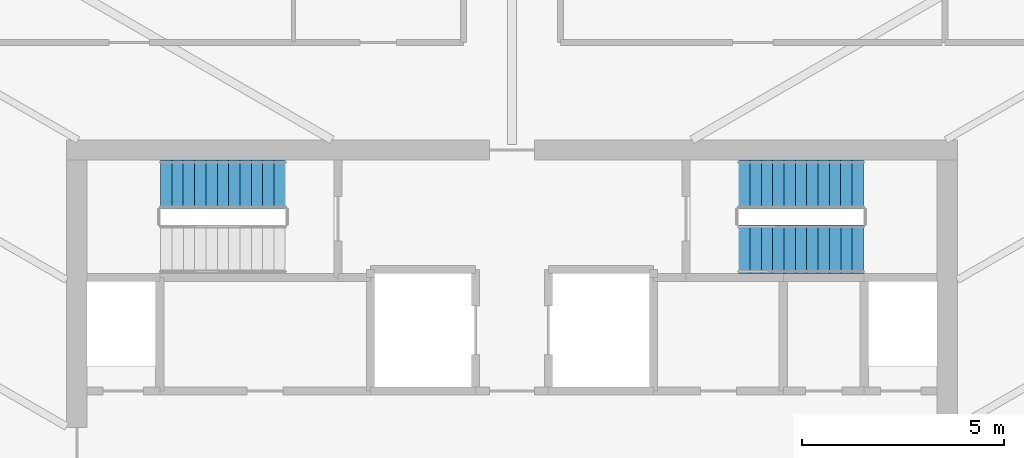
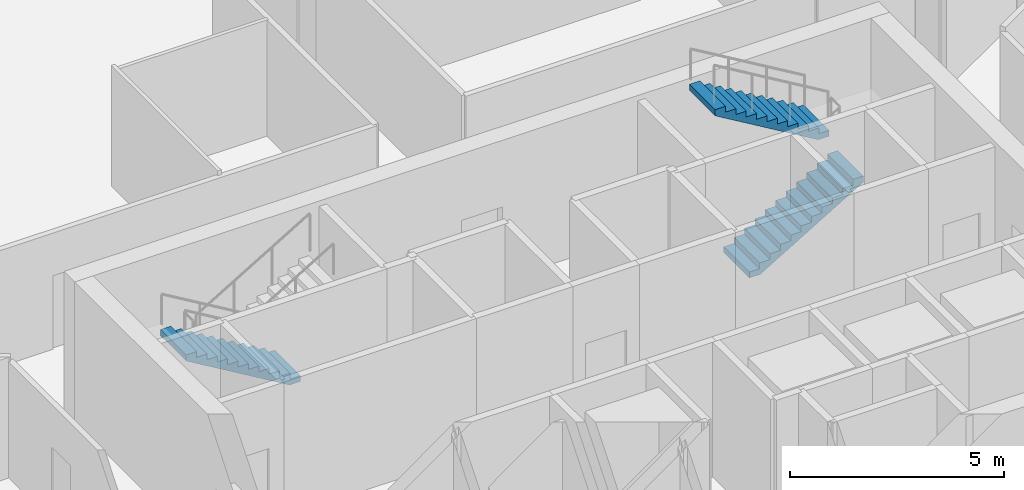
# One storey, part 16 of 22: 3 stair flights, 2 elements without a shape of their own.
"""IFC4 building model written with IfcOpenShell, lengths in metres."""

from ifc_helpers import new_model, si_unit, direction, frame, origin, place, context, subcontext, project, spatial, polyline, outline, extrude, material, type_object, element, aggregate, save


model = new_model("IFC4")

# Units and contexts
model_context = context("Model", 3, precision=1e-05, world=origin(), true_north=direction((0.0, 1.0)))
body_context = subcontext(model_context, "Body", "Model", "MODEL_VIEW")
ifc_project = project(units=[si_unit("LENGTHUNIT", "METRE"), si_unit("AREAUNIT", "SQUARE_METRE"), si_unit("VOLUMEUNIT", "CUBIC_METRE"), si_unit("PLANEANGLEUNIT", "RADIAN"), si_unit("MASSUNIT", "GRAM", prefix="KILO")], contexts=[model_context])

# Site, building, storey
site_placement = place(None, origin())
site = spatial("IfcSite", under=ifc_project, at=site_placement, CompositionType="ELEMENT")
building_placement = place(site_placement, origin())
building = spatial("IfcBuilding", under=site, at=building_placement, Name="Sierra Prisma Convention Tower", CompositionType="ELEMENT")
storey_placement = place(building_placement, frame((0.0, 0.0, 243.0)))
storey = spatial("IfcBuildingStorey", under=building, at=storey_placement, Name="L54", CompositionType="ELEMENT", Elevation=243.0)

# Stair, stair flight
ifc_material_1 = material(Name="Concrete C30/37", Category="concrete")
stair_type = type_object("IfcStairType", Name="Stair dog-leg 1200 RC", PredefinedType="HALF_TURN_STAIR", material=ifc_material_1)
stair_1_placement = place(storey_placement, origin())
stair_1 = element("IfcStair", 1, at=stair_1_placement, inside=storey, type_object=stair_type, Name="L54 S3", PredefinedType="HALF_TURN_STAIR")
ifc_material_2 = material(Name="Concrete C30/37", Category="concrete")
stair_flight_type = type_object("IfcStairFlightType", Name="Stair flight RC 1200", PredefinedType="STRAIGHT", material=ifc_material_2)
stair_flight_1_placement = place(storey_placement, frame((-5.60009765625, 6.89990234375, 0.0), z_axis=(0.0, 0.0, 1.0), x_axis=(-1.0, 0.0, 0.0)))
stair_flight_1 = element("IfcStairFlight", 2, at=stair_flight_1_placement, type_object=stair_flight_type, Name="S3 flight 1", NumberOfRisers=12, NumberOfTreads=11, PredefinedType="STRAIGHT", RiserHeight=0.166666667, TreadLength=0.28, context=body_context, shape_type="SweptSolid", body=[
    extrude(outline(polyline([(0.0, 0.0), (0.0, 0.166748046875), (0.280029296875, 0.166748046875), (0.280029296875, 0.333251953125), (0.56005859375, 0.333251953125), (0.56005859375, 0.5), (0.840087890625, 0.5), (0.840087890625, 0.666748046875), (1.1201171875, 0.666748046875), (1.1201171875, 0.833251953125), (1.39990234375, 0.833251953125), (1.39990234375, 1.0), (1.679931640625, 1.0), (1.679931640625, 1.166748046875), (1.9599609375, 1.166748046875), (1.9599609375, 1.333251953125), (2.239990234375, 1.333251953125), (2.239990234375, 1.5), (2.52001953125, 1.5), (2.52001953125, 1.666748046875), (2.800048828125, 1.666748046875), (2.800048828125, 1.833251953125), (3.080078125, 1.833251953125), (3.080078125, 2.0), (3.080078125, 1.658935546875), (0.29296875, 0.0), (0.0, 0.0)])), frame((0.0, 0.60009765625, 0.0), z_axis=(0.0, -1.0, 0.0), x_axis=(1.0, 0.0, 0.0)), (0.0, 0.0, 1.0), 1.199951171875),
])
aggregate(stair_1, [stair_flight_1])

# Stair, stair flights
stair_2_placement = place(storey_placement, origin())
stair_2 = element("IfcStair", 3, at=stair_2_placement, inside=storey, type_object=stair_type, Name="L54 S4", PredefinedType="HALF_TURN_STAIR")
stair_flight_2_placement = place(storey_placement, frame((5.60009765625, 5.300048828125, 0.0), z_axis=(0.0, 0.0, 1.0), x_axis=(1.0, 0.0, 0.0)))
stair_flight_2 = element("IfcStairFlight", 4, at=stair_flight_2_placement, type_object=stair_flight_type, Name="S4 flight 1", NumberOfRisers=12, NumberOfTreads=11, PredefinedType="STRAIGHT", RiserHeight=0.166666667, TreadLength=0.28, context=body_context, shape_type="SweptSolid", body=[
    extrude(outline(polyline([(0.0, 0.0), (0.0, 0.166748046875), (0.280029296875, 0.166748046875), (0.280029296875, 0.333251953125), (0.56005859375, 0.333251953125), (0.56005859375, 0.5), (0.840087890625, 0.5), (0.840087890625, 0.666748046875), (1.1201171875, 0.666748046875), (1.1201171875, 0.833251953125), (1.39990234375, 0.833251953125), (1.39990234375, 1.0), (1.679931640625, 1.0), (1.679931640625, 1.166748046875), (1.9599609375, 1.166748046875), (1.9599609375, 1.333251953125), (2.239990234375, 1.333251953125), (2.239990234375, 1.5), (2.52001953125, 1.5), (2.52001953125, 1.666748046875), (2.800048828125, 1.666748046875), (2.800048828125, 1.833251953125), (3.080078125, 1.833251953125), (3.080078125, 2.0), (3.080078125, 1.658935546875), (0.29296875, 0.0), (0.0, 0.0)])), frame((0.0, 0.60009765625, 0.0), z_axis=(0.0, -1.0, 0.0), x_axis=(1.0, 0.0, 0.0)), (0.0, 0.0, 1.0), 1.199951171875),
])
stair_flight_3_placement = place(storey_placement, frame((8.679931640625, 6.89990234375, 2.0), z_axis=(0.0, 0.0, 1.0), x_axis=(-1.0, 0.0, 0.0)))
stair_flight_3 = element("IfcStairFlight", 5, at=stair_flight_3_placement, type_object=stair_flight_type, Name="S4 flight 2", NumberOfRisers=12, NumberOfTreads=11, PredefinedType="STRAIGHT", RiserHeight=0.166666667, TreadLength=0.28, context=body_context, shape_type="SweptSolid", body=[
    extrude(outline(polyline([(0.0, 0.0), (0.0, 0.166748046875), (0.280029296875, 0.166748046875), (0.280029296875, 0.333251953125), (0.56005859375, 0.333251953125), (0.56005859375, 0.5), (0.840087890625, 0.5), (0.840087890625, 0.666748046875), (1.1201171875, 0.666748046875), (1.1201171875, 0.833251953125), (1.39990234375, 0.833251953125), (1.39990234375, 1.0), (1.679931640625, 1.0), (1.679931640625, 1.166748046875), (1.9599609375, 1.166748046875), (1.9599609375, 1.333251953125), (2.239990234375, 1.333251953125), (2.239990234375, 1.5), (2.52001953125, 1.5), (2.52001953125, 1.666748046875), (2.800048828125, 1.666748046875), (2.800048828125, 1.833251953125), (3.080078125, 1.833251953125), (3.080078125, 2.0), (3.080078125, 1.658935546875), (0.29296875, 0.0), (0.0, 0.0)])), frame((0.0, 0.60009765625, 0.0), z_axis=(0.0, -1.0, 0.0), x_axis=(1.0, 0.0, 0.0)), (0.0, 0.0, 1.0), 1.199951171875),
])
aggregate(stair_2, [stair_flight_2, stair_flight_3])

save(model, "model.ifc")
